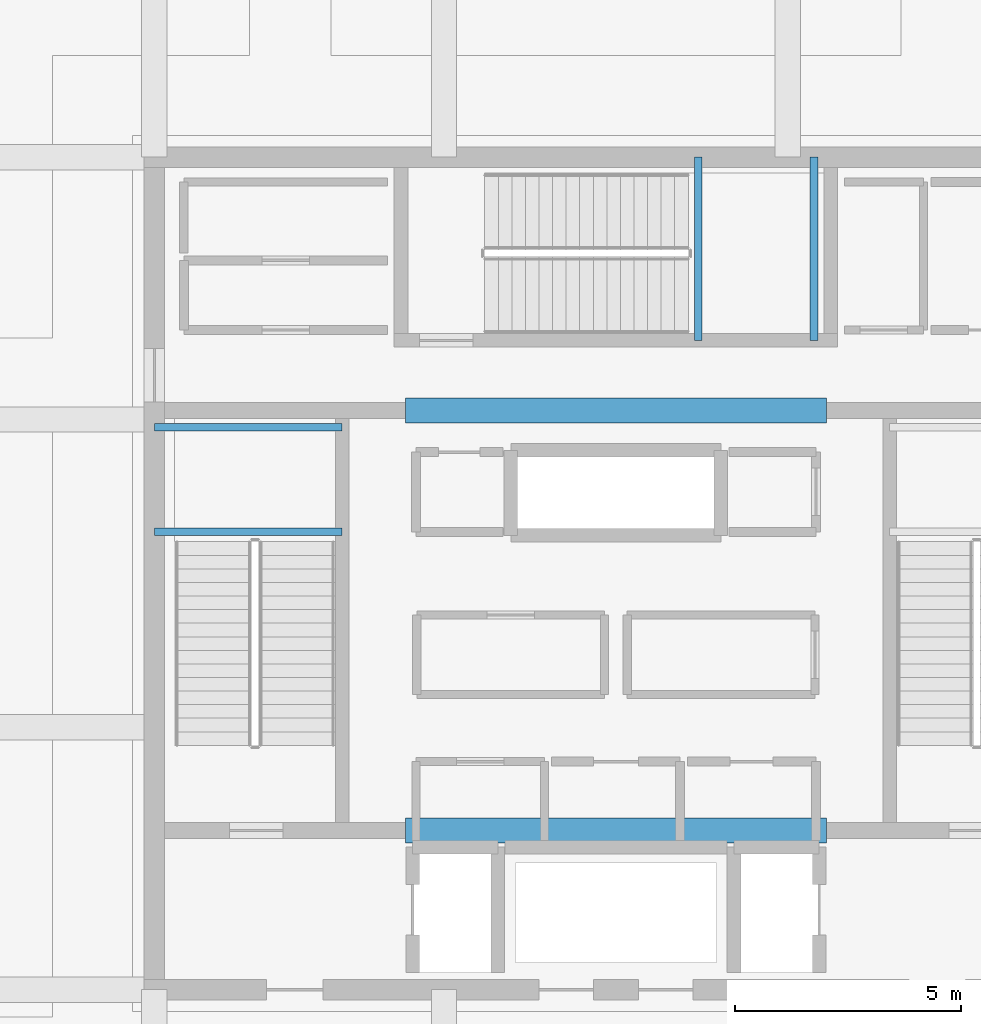
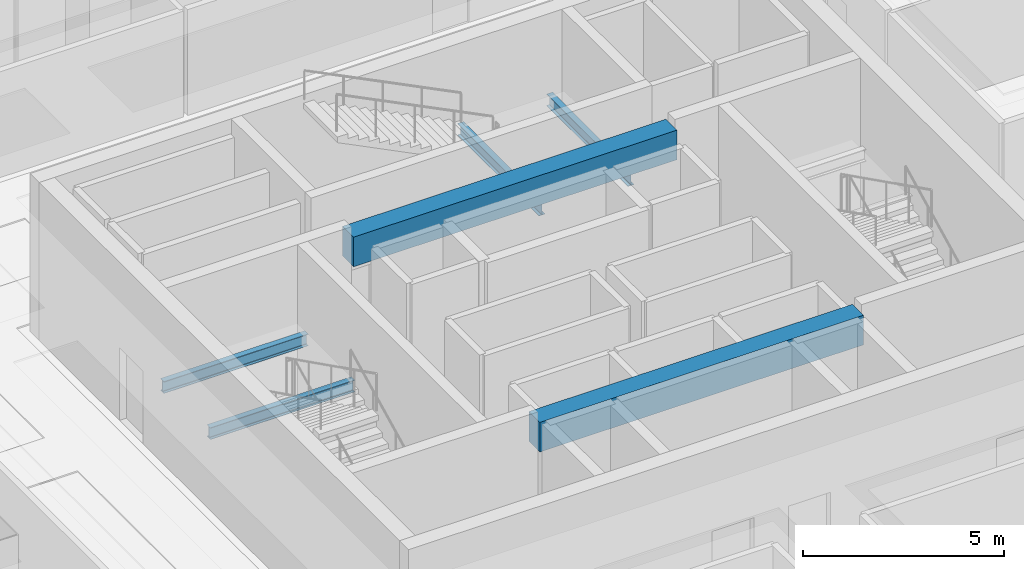
# One storey, part 15 of 44: 6 beams.
"""IFC4 building model written with IfcOpenShell, lengths in metres."""

from ifc_helpers import new_model, si_unit, direction, frame, origin, origin_2d, place, context, subcontext, project, spatial, rectangle, i_section, extrude, material, material_profile, profile_set, type_object, element, save


model = new_model("IFC4")

# Units and contexts
model_context = context("Model", 3, precision=1e-05, world=origin(), true_north=direction((0.0, 1.0)))
body_context = subcontext(model_context, "Body", "Model", "MODEL_VIEW")
ifc_project = project(units=[si_unit("LENGTHUNIT", "METRE"), si_unit("AREAUNIT", "SQUARE_METRE"), si_unit("VOLUMEUNIT", "CUBIC_METRE"), si_unit("PLANEANGLEUNIT", "RADIAN"), si_unit("MASSUNIT", "GRAM", prefix="KILO")], contexts=[model_context])

# Site, building, storey
site_placement = place(None, origin())
site = spatial("IfcSite", under=ifc_project, at=site_placement, CompositionType="ELEMENT")
building_placement = place(site_placement, origin())
building = spatial("IfcBuilding", under=site, at=building_placement, Name="Punatoya Terracotta Tower", CompositionType="ELEMENT")
storey_placement = place(building_placement, frame((0.0, 0.0, 334.199951171875)))
storey = spatial("IfcBuildingStorey", under=building, at=storey_placement, Name="L79", CompositionType="ELEMENT", Elevation=334.199951171875)

# Beams
ifc_material_1 = material(Name="Concrete C50/60", Category="concrete")
ifc_material_profile_1 = material_profile(ifc_material_1, rectangle(XDim=0.550048828125, YDim=0.89990234375, at=origin_2d()))
ifc_profile_set_1 = profile_set([ifc_material_profile_1], Name="Concrete C50/60")
beam_type_1 = type_object("IfcBeamType", Name="BM-RC-900", PredefinedType="LINTEL", material=ifc_profile_set_1)
for number, where, z_axis, x_axis, name in (
    (1, (-4.64990234375, -5.679931640625, 4.090087890625), (1.0, 0.0, 0.0), (0.0, 1.0, 0.0), "L79 Core Coupling Lintel CSW"),
    (2, (-4.64990234375, 3.60009765625, 4.090087890625), (1.0, 0.0, 0.0), (0.0, 1.0, 0.0), "L79 Core Coupling Lintel CNW"),
):
    element("IfcBeam", number, at=place(storey_placement, frame(where, z_axis=z_axis, x_axis=x_axis)), inside=storey, type_object=beam_type_1, Name=name, PredefinedType="LINTEL", context=body_context, shape_type="SweptSolid", body=[
        extrude(rectangle(XDim=0.550048828125, YDim=0.89990234375, at=origin_2d()), origin(), (0.0, 0.0, 1.0), 9.2998046875),
    ])
ifc_material_2 = material(Name="Steel S355", Category="steel")
ifc_material_profile_2 = material_profile(ifc_material_2, i_section(OverallWidth=0.169921875, OverallDepth=0.360107421875, WebThickness=0.008056640625, FlangeThickness=0.0126953125, FilletRadius=0.01806640625, at=origin_2d()))
ifc_profile_set_2 = profile_set([ifc_material_profile_2], Name="Steel S355")
beam_type_2 = type_object("IfcBeamType", Name="BM-SEC-360", PredefinedType="JOIST", material=ifc_profile_set_2)
for number, where, z_axis, x_axis, name in (
    (3, (-10.199951171875, 0.919921875, 2.02001953125), (1.0, 0.0, 0.0), (0.0, 1.0, 0.0), "BM-L79-ST-1-LD1A"),
    (4, (-10.199951171875, 3.22998046875, 2.02001953125), (1.0, 0.0, 0.0), (0.0, 1.0, 0.0), "BM-L79-ST-1-LD1B"),
):
    element("IfcBeam", number, at=place(storey_placement, frame(where, z_axis=z_axis, x_axis=x_axis)), inside=storey, type_object=beam_type_2, Name=name, PredefinedType="JOIST", context=body_context, shape_type="SweptSolid", body=[
        extrude(i_section(OverallWidth=0.169921875, OverallDepth=0.360107421875, WebThickness=0.008056640625, FlangeThickness=0.0126953125, FilletRadius=0.01806640625, at=origin_2d()), origin(), (0.0, 0.0, 1.0), 4.14990234375),
    ])
for number, where, z_axis, x_axis, name in (
    (5, (1.820068359375, 5.14990234375, 2.02001953125), (0.0, 1.0, 0.0), (-1.0, 0.0, 0.0), "BM-L79-ST-3-LD1A"),
    (6, (4.3798828125, 5.14990234375, 2.02001953125), (0.0, 1.0, 0.0), (-1.0, 0.0, 0.0), "BM-L79-ST-3-LD1B"),
):
    element("IfcBeam", number, at=place(storey_placement, frame(where, z_axis=z_axis, x_axis=x_axis)), inside=storey, type_object=beam_type_2, Name=name, PredefinedType="JOIST", context=body_context, shape_type="SweptSolid", body=[
        extrude(i_section(OverallWidth=0.169921875, OverallDepth=0.360107421875, WebThickness=0.008056640625, FlangeThickness=0.0126953125, FilletRadius=0.01806640625, at=origin_2d()), origin(), (0.0, 0.0, 1.0), 4.050048828125),
    ])

save(model, "model.ifc")
